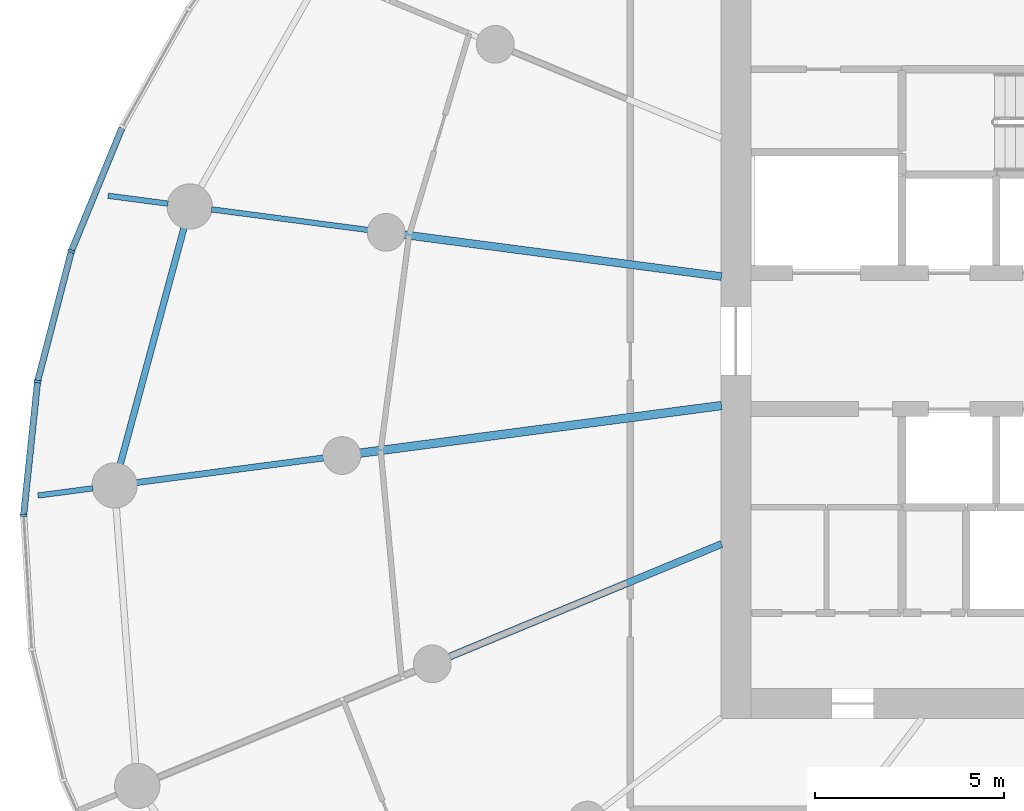
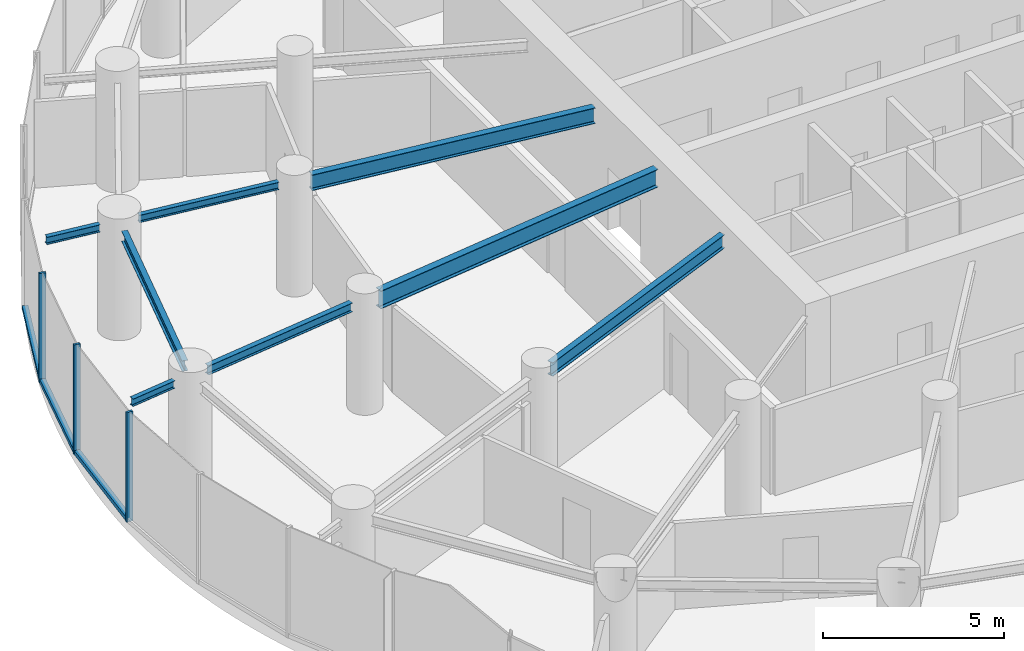
# One storey, part 3 of 17: 8 beams, 6 members, 1 element without a shape of its own.
"""IFC4 building model written with IfcOpenShell, lengths in metres."""

import ifcopenshell
import ifcopenshell.guid

model = None  # the IFC model being written
_history = None  # IfcOwnerHistory: only IFC2X3 demands one
_inside = {}  # id of a spatial element -> (the spatial element, [elements in it])
_under = {}  # id of a project, library or spatial element -> (it, [spatial elements below it])
_declared = {}  # id of a project -> (the project, [libraries it declares])
_typed = {}  # id of a type object -> (the type object, [elements of that type])
_made_of = {}  # id of a material, layer set ... -> (it, [elements and type objects made of it])


def new_model(schema):
    """Start an empty IFC model of exactly this schema.

    Asked for "IFC4X3", IfcOpenShell would pick the latest addendum, in which some entities
    have other attributes; the version numbers below select the first issue.
    IFC2X3 requires an IfcOwnerHistory on every rooted entity: one is made here for all.
    """
    global model, _history
    if schema == "IFC4X3":
        model = ifcopenshell.file(schema_version=(4, 3, 0, 0))
    else:
        model = ifcopenshell.file(schema=schema)
    _inside.clear()
    _under.clear()
    _declared.clear()
    _typed.clear()
    _made_of.clear()
    _history = None
    if model.schema == "IFC2X3":
        org = make("IfcOrganization", Name="unknown")
        user = make(
            "IfcPersonAndOrganization",
            ThePerson=make("IfcPerson", FamilyName="unknown"),
            TheOrganization=org,
        )
        app = make(
            "IfcApplication",
            ApplicationDeveloper=org,
            Version="unknown",
            ApplicationFullName="unknown",
            ApplicationIdentifier="unknown",
        )
        _history = make(
            "IfcOwnerHistory",
            OwningUser=user,
            OwningApplication=app,
            ChangeAction="ADDED",
            CreationDate=0,
        )
    return model


def make(cls, **values):
    """One entity of the class cls with the attributes given. An attribute that is None is left unset."""
    return model.create_entity(
        cls, **{name: value for name, value in values.items() if value is not None}
    )


def rooted(cls, **values):
    """An entity with a GlobalId (a new one), such as an element, a storey or a relation."""
    return make(cls, GlobalId=ifcopenshell.guid.new(), OwnerHistory=_history, **values)


def si_unit(unit_type, name, prefix=None):
    """IfcSIUnit, for example si_unit("LENGTHUNIT", "METRE", prefix="MILLI")."""
    return make("IfcSIUnit", UnitType=unit_type, Prefix=prefix, Name=name)


def assignment(units):
    """IfcUnitAssignment: the units of a project."""
    return None if units is None else make("IfcUnitAssignment", Units=units)


def point(xyz):
    """IfcCartesianPoint."""
    return None if xyz is None else make("IfcCartesianPoint", Coordinates=xyz)


def direction(xyz):
    """IfcDirection."""
    return None if xyz is None else make("IfcDirection", DirectionRatios=xyz)


def frame(location, z_axis=None, x_axis=None):
    """IfcAxis2Placement3D, a coordinate frame: its origin and axes. An axis left out is left unset."""
    return make(
        "IfcAxis2Placement3D",
        Location=point(location),
        Axis=direction(z_axis),
        RefDirection=direction(x_axis),
    )


def frame_2d(location, x_axis=None):
    """IfcAxis2Placement2D, a coordinate frame in the plane: its origin and x axis."""
    return make(
        "IfcAxis2Placement2D", Location=point(location), RefDirection=direction(x_axis)
    )


def origin():
    """The frame at (0, 0, 0) with its axes left unset."""
    return frame((0.0, 0.0, 0.0))


def origin_2d():
    """The frame at (0, 0) in the plane with its x axis left unset."""
    return frame_2d((0.0, 0.0))


def place(relative_to, where):
    """IfcLocalPlacement: puts the frame where relative to a parent placement (None: the world)."""
    return make(
        "IfcLocalPlacement", PlacementRelTo=relative_to, RelativePlacement=where
    )


def context(
    kind, dimensions, precision=None, world=None, true_north=None, identifier=None
):
    """IfcGeometricRepresentationContext, for example the 3D "Model" context."""
    return make(
        "IfcGeometricRepresentationContext",
        ContextIdentifier=identifier,
        ContextType=kind,
        CoordinateSpaceDimension=dimensions,
        Precision=precision,
        WorldCoordinateSystem=world,
        TrueNorth=true_north,
    )


def subcontext(parent, identifier, kind, view, scale=None):
    """IfcGeometricRepresentationSubContext, for example "Body" below "Model"."""
    return make(
        "IfcGeometricRepresentationSubContext",
        ContextIdentifier=identifier,
        ContextType=kind,
        ParentContext=parent,
        TargetScale=scale,
        TargetView=view,
    )


def project(units=None, contexts=None):
    """IfcProject with its units and contexts."""
    return rooted(
        "IfcProject",
        Name="project",
        RepresentationContexts=contexts,
        UnitsInContext=assignment(units),
    )


def spatial(cls, under=None, at=None, **own):
    """A site, building, storey or space (cls), placed at a placement, below another one or the project."""
    s = rooted(cls, ObjectPlacement=at, **own)
    if under is not None:
        _under.setdefault(under.id(), (under, []))[1].append(s)
    return s


def profile(cls, at=None, kind="AREA", **sizes):
    """A parametric profile (cls). Its sizes go by their IFC names, for example OverallWidth=200.0."""
    return make(cls, ProfileType=kind, Position=at, **sizes)


def rectangle(**sizes):
    """IfcRectangleProfileDef."""
    return profile("IfcRectangleProfileDef", **sizes)


def i_section(**sizes):
    """IfcIShapeProfileDef."""
    return profile("IfcIShapeProfileDef", **sizes)


def extrude(swept, where, along, depth):
    """IfcExtrudedAreaSolid: the profile swept, set in the frame where, extruded along a direction by depth."""
    return make(
        "IfcExtrudedAreaSolid",
        SweptArea=swept,
        Position=where,
        ExtrudedDirection=direction(along),
        Depth=depth,
    )


def shape(context_of_items, identifier, shape_type, items):
    """IfcShapeRepresentation: the items that make up one representation, for example the "Body"."""
    return make(
        "IfcShapeRepresentation",
        ContextOfItems=context_of_items,
        RepresentationIdentifier=identifier,
        RepresentationType=shape_type,
        Items=items,
    )


def source(mapping_origin, context_of_items, identifier, shape_type, items):
    """IfcRepresentationMap: a shape defined once, which mapped items show again and again."""
    return make(
        "IfcRepresentationMap",
        MappingOrigin=mapping_origin,
        MappedRepresentation=shape(context_of_items, identifier, shape_type, items),
    )


def transform(
    local_origin,
    x_axis=None,
    y_axis=None,
    z_axis=None,
    scale=None,
    scale2=None,
    scale3=None,
    uniform=True,
):
    """IfcCartesianTransformationOperator3D, or its non-uniform kind. x_axis, y_axis, z_axis: its Axis1, 2, 3."""
    if uniform:
        return make(
            "IfcCartesianTransformationOperator3D",
            Axis1=direction(x_axis),
            Axis2=direction(y_axis),
            LocalOrigin=point(local_origin),
            Scale=scale,
            Axis3=direction(z_axis),
        )
    return make(
        "IfcCartesianTransformationOperator3DnonUniform",
        Axis1=direction(x_axis),
        Axis2=direction(y_axis),
        LocalOrigin=point(local_origin),
        Scale=scale,
        Axis3=direction(z_axis),
        Scale2=scale2,
        Scale3=scale3,
    )


def mapped(mapping_source, mapping_target):
    """IfcMappedItem: shows the shape of a source again, moved by a transform."""
    return make(
        "IfcMappedItem", MappingSource=mapping_source, MappingTarget=mapping_target
    )


def material(Name=None, Category=None):
    """IfcMaterial."""
    return make("IfcMaterial", Name=Name, Category=Category)


def layer(
    of_material, thickness, ventilated=None, Name=None, Category=None, Priority=None
):
    """IfcMaterialLayer: one layer of a wall or slab, of a material (None: an air gap)."""
    return make(
        "IfcMaterialLayer",
        Material=of_material,
        LayerThickness=thickness,
        IsVentilated=ventilated,
        Name=Name,
        Category=Category,
        Priority=Priority,
    )


def layer_set(layers, Name=None):
    """IfcMaterialLayerSet."""
    return make("IfcMaterialLayerSet", MaterialLayers=layers, LayerSetName=Name)


def material_profile(
    of_material, cross_section, Name=None, Category=None, Priority=None
):
    """IfcMaterialProfile: a cross section and its material."""
    return make(
        "IfcMaterialProfile",
        Name=Name,
        Material=of_material,
        Profile=cross_section,
        Priority=Priority,
        Category=Category,
    )


def profile_set(profiles, Name=None, composite=None):
    """IfcMaterialProfileSet."""
    return make(
        "IfcMaterialProfileSet",
        Name=Name,
        MaterialProfiles=profiles,
        CompositeProfile=composite,
    )


def made_of(thing, what):
    """Note that an element or type object is made of a material, layer set ...; save() writes the relation."""
    if what is not None:
        _made_of.setdefault(what.id(), (what, []))[1].append(thing)
    return thing


def type_object(cls, material=None, **own):
    """A type object (cls), such as IfcWallType, which elements share."""
    return made_of(rooted(cls, **own), material)


def element(
    cls,
    number,
    at=None,
    inside=None,
    cuts=None,
    type_object=None,
    material=None,
    context=None,
    identifier="Body",
    shape_type=None,
    held_by="IfcProductDefinitionShape",
    body=None,
    shapes=None,
    **own,
):
    """One element of the class cls, such as IfcWall. Its Tag is "e" and its number.

    at: its placement. inside: the storey or other place that contains it. cuts: it is an
    opening in that element (IfcRelVoidsElement). A single representation is given by context,
    identifier, shape_type and body (its items); several are given by shapes. held_by: the class
    of the entity that holds the representations. save() writes the other relations.
    """
    e = rooted(cls, Tag="e%d" % number, ObjectPlacement=at, **own)
    if body is not None:
        shapes = [shape(context, identifier, shape_type, body)]
    if shapes is not None:
        e.Representation = make(held_by, Representations=shapes)
    if inside is not None:
        _inside.setdefault(inside.id(), (inside, []))[1].append(e)
    if cuts is not None:
        rooted(
            "IfcRelVoidsElement", RelatingBuildingElement=cuts, RelatedOpeningElement=e
        )
    if type_object is not None:
        _typed.setdefault(type_object.id(), (type_object, []))[1].append(e)
    return made_of(e, material)


def aggregate(whole, parts):
    """IfcRelAggregates: a whole, such as a stair, and the parts it consists of."""
    return rooted("IfcRelAggregates", RelatingObject=whole, RelatedObjects=parts)


def save(model, path):
    """Write the relations noted so far, then the file.

    IfcRelAggregates (storeys below a building ...), IfcRelContainedInSpatialStructure (elements
    in a storey), IfcRelDefinesByType, IfcRelAssociatesMaterial and IfcRelDeclares: one each for
    every whole, place, type object, material and project.
    """
    for whole, parts in _under.values():
        aggregate(whole, parts)
    for where, things in _inside.values():
        rooted(
            "IfcRelContainedInSpatialStructure",
            RelatedElements=things,
            RelatingStructure=where,
        )
    for kind, things in _typed.values():
        rooted("IfcRelDefinesByType", RelatedObjects=things, RelatingType=kind)
    for what, things in _made_of.values():
        rooted("IfcRelAssociatesMaterial", RelatedObjects=things, RelatingMaterial=what)
    for by, libraries in _declared.values():
        rooted("IfcRelDeclares", RelatingContext=by, RelatedDefinitions=libraries)
    model.write(path)


model = new_model("IFC4")

# Units and contexts
model_context = context("Model", 3, precision=1e-05, world=origin(), true_north=direction((0.0, 1.0)))
body_context = subcontext(model_context, "Body", "Model", "MODEL_VIEW")
ifc_project = project(units=[si_unit("LENGTHUNIT", "METRE"), si_unit("AREAUNIT", "SQUARE_METRE"), si_unit("VOLUMEUNIT", "CUBIC_METRE"), si_unit("PLANEANGLEUNIT", "RADIAN"), si_unit("MASSUNIT", "GRAM", prefix="KILO")], contexts=[model_context])

# Site, building, storey
site_placement = place(None, origin())
site = spatial("IfcSite", under=ifc_project, at=site_placement, CompositionType="ELEMENT")
building_placement = place(site_placement, origin())
building = spatial("IfcBuilding", under=site, at=building_placement, Name="Spindrift Exchange Tower", CompositionType="ELEMENT")
storey_placement = place(building_placement, frame((0.0, 0.0, 92.10009765625)))
storey = spatial("IfcBuildingStorey", under=building, at=storey_placement, Name="L21", CompositionType="ELEMENT", Elevation=92.10009765625)

# Beams
ifc_material_1 = material(Name="Steel Grade 300", Category="steel")
ifc_material_profile_1 = material_profile(ifc_material_1, i_section(OverallWidth=0.22802734375, OverallDepth=0.60693359375, WebThickness=0.01123046875, FlangeThickness=0.017333984375, FilletRadius=0.013916015625, at=origin_2d()), Name="610UB113")
ifc_profile_set_1 = profile_set([ifc_material_profile_1], Name="Steel Grade 300")
beam_type_1 = type_object("IfcBeamType", Name="Floor Beam 610UB113 Steel Grade 300", PredefinedType="BEAM", material=ifc_profile_set_1)
shared_shape_1 = source(origin(), body_context, "Body", "SweptSolid", [
    extrude(i_section(OverallWidth=0.22802734375, OverallDepth=0.60693359375, WebThickness=0.01123046875, FlangeThickness=0.017333984375, FilletRadius=0.013916015625, at=origin_2d()), origin(), (0.0, 0.0, 1.0), 9.660400390625),
])
beam_1_placement = place(storey_placement, frame((39.019775390625, 46.291015625, 3.396484375), z_axis=(-0.99144767089, -0.130504850054, 0.0), x_axis=(0.130504850054, -0.99144767089, 0.0)))
element("IfcBeam", 1, at=beam_1_placement, inside=storey, type_object=beam_type_1, Name="L21 radial beam R13A", PredefinedType="BEAM", context=body_context, shape_type="MappedRepresentation", body=[
    mapped(shared_shape_1, transform((0.0, 0.0, 0.0), scale=1.0)),
])
ifc_material_profile_2 = material_profile(ifc_material_1, i_section(OverallWidth=0.18994140625, OverallDepth=0.45703125, WebThickness=0.009033203125, FlangeThickness=0.014404296875, FilletRadius=0.013916015625, at=origin_2d()), Name="460UB74.6")
ifc_profile_set_2 = profile_set([ifc_material_profile_2], Name="Steel Grade 300")
beam_type_2 = type_object("IfcBeamType", Name="Floor Beam 460UB74.6 Steel Grade 300", PredefinedType="BEAM", material=ifc_profile_set_2)
shared_shape_2 = source(origin(), body_context, "Body", "SweptSolid", [
    extrude(i_section(OverallWidth=0.18994140625, OverallDepth=0.45703125, WebThickness=0.009033203125, FlangeThickness=0.014404296875, FilletRadius=0.013916015625, at=origin_2d()), origin(), (0.0, 0.0, 1.0), 7.808837890625),
])
beam_2_placement = place(storey_placement, frame((39.0185546875, 42.622802734375, 3.471435546875), z_axis=(-0.92387965154, -0.382683145003, 0.0), x_axis=(0.382683145003, -0.92387965154, 0.0)))
element("IfcBeam", 2, at=beam_2_placement, inside=storey, type_object=beam_type_2, Name="L21 radial beam R14A", PredefinedType="BEAM", context=body_context, shape_type="MappedRepresentation", body=[
    mapped(shared_shape_2, transform((0.0, 0.0, 0.0), scale=1.0)),
])
ifc_material_profile_3 = material_profile(ifc_material_1, i_section(OverallWidth=0.208984375, OverallDepth=0.532958984375, WebThickness=0.01025390625, FlangeThickness=0.015625, FilletRadius=0.013916015625, at=origin_2d()), Name="530UB92.4")
ifc_profile_set_3 = profile_set([ifc_material_profile_3], Name="Steel Grade 300")
beam_type_3 = type_object("IfcBeamType", Name="Floor Beam 530UB92.4 Steel Grade 300", PredefinedType="BEAM", material=ifc_profile_set_3)
shared_shape_3 = source(origin(), body_context, "Body", "SweptSolid", [
    extrude(i_section(OverallWidth=0.208984375, OverallDepth=0.532958984375, WebThickness=0.01025390625, FlangeThickness=0.015625, FilletRadius=0.013916015625, at=origin_2d()), origin(), (0.0, 0.0, 1.0), 8.4794921875),
])
beam_3_placement = place(storey_placement, frame((39.019775390625, 49.708984375, 3.433349609375), z_axis=(-0.991446551951, 0.13051335037, 0.0), x_axis=(-0.13051335037, -0.991446551951, 0.0)))
element("IfcBeam", 3, at=beam_3_placement, inside=storey, type_object=beam_type_3, Name="L21 radial beam R12A", PredefinedType="BEAM", context=body_context, shape_type="MappedRepresentation", body=[
    mapped(shared_shape_3, transform((0.0, 0.0, 0.0), scale=1.0)),
])
ifc_material_profile_4 = material_profile(ifc_material_1, i_section(OverallWidth=0.1650390625, OverallDepth=0.303955078125, WebThickness=0.006103515625, FlangeThickness=0.01025390625, FilletRadius=0.011474609375, at=origin_2d()), Name="310UB40.4")
ifc_profile_set_4 = profile_set([ifc_material_profile_4], Name="Steel Grade 300")
beam_type_4 = type_object("IfcBeamType", Name="Floor Beam 310UB40.4 Steel Grade 300", PredefinedType="BEAM", material=ifc_profile_set_4)
shared_shape_4 = source(origin(), body_context, "Body", "SweptSolid", [
    extrude(i_section(OverallWidth=0.1650390625, OverallDepth=0.303955078125, WebThickness=0.006103515625, FlangeThickness=0.01025390625, FilletRadius=0.011474609375, at=origin_2d()), origin(), (0.0, 0.0, 1.0), 5.014404296875),
])
beam_4_placement = place(storey_placement, frame((28.490234375, 44.90478515625, 3.5478515625), z_axis=(-0.99145015202, -0.13048599948, 0.0), x_axis=(0.13048599948, -0.99145015202, 0.0)))
element("IfcBeam", 4, at=beam_4_placement, inside=storey, type_object=beam_type_4, Name="L21 radial beam R13B", PredefinedType="BEAM", context=body_context, shape_type="MappedRepresentation", body=[
    mapped(shared_shape_4, transform((0.0, 0.0, 0.0), scale=1.0)),
])
ifc_material_profile_5 = material_profile(ifc_material_1, i_section(OverallWidth=0.14599609375, OverallDepth=0.251953125, WebThickness=0.006103515625, FlangeThickness=0.008544921875, FilletRadius=0.011962890625, at=origin_2d()), Name="250UB31.4")
ifc_profile_set_5 = profile_set([ifc_material_profile_5], Name="Steel Grade 300")
beam_type_5 = type_object("IfcBeamType", Name="Floor Beam 250UB31.4 Steel Grade 300", PredefinedType="BEAM", material=ifc_profile_set_5)
shared_shape_5 = source(origin(), body_context, "Body", "SweptSolid", [
    extrude(i_section(OverallWidth=0.14599609375, OverallDepth=0.251953125, WebThickness=0.006103515625, FlangeThickness=0.008544921875, FilletRadius=0.011962890625, at=origin_2d()), origin(), (0.0, 0.0, 1.0), 4.186279296875),
])
beam_5_placement = place(storey_placement, frame((29.660888671875, 50.94091796875, 3.573974609375), z_axis=(-0.991445559167, 0.130520891848, 0.0), x_axis=(-0.130520891848, -0.991445559167, 0.0)))
element("IfcBeam", 5, at=beam_5_placement, inside=storey, type_object=beam_type_5, Name="L21 radial beam R12B", PredefinedType="BEAM", context=body_context, shape_type="MappedRepresentation", body=[
    mapped(shared_shape_5, transform((0.0, 0.0, 0.0), scale=1.0)),
])
ifc_material_profile_6 = material_profile(ifc_material_1, i_section(OverallWidth=0.172119140625, OverallDepth=0.35888671875, WebThickness=0.008056640625, FlangeThickness=0.012939453125, FilletRadius=0.013916015625, at=origin_2d()), Name="360UB56.7")
ifc_profile_set_6 = profile_set([ifc_material_profile_6], Name="Steel Grade 300")
beam_type_6 = type_object("IfcBeamType", Name="Edge Beam 360UB56.7 Steel Grade 300", PredefinedType="SPANDREL", material=ifc_profile_set_6)
shared_shape_6 = source(origin(), body_context, "Body", "SweptSolid", [
    extrude(i_section(OverallWidth=0.172119140625, OverallDepth=0.35888671875, WebThickness=0.008056640625, FlangeThickness=0.012939453125, FilletRadius=0.013916015625, at=origin_2d()), origin(), (0.0, 0.0, 1.0), 6.4921875),
])
beam_6_placement = place(storey_placement, frame((24.784423828125, 51.003173828125, 3.5205078125), z_axis=(-0.260262058381, -0.965538016324, 0.0), x_axis=(0.965538016324, -0.260262058381, 0.0)))
element("IfcBeam", 6, at=beam_6_placement, inside=storey, type_object=beam_type_6, Name="L21 edge beam E12", PredefinedType="SPANDREL", context=body_context, shape_type="MappedRepresentation", body=[
    mapped(shared_shape_6, transform((0.0, 0.0, 0.0), scale=1.0)),
])
ifc_material_profile_7 = material_profile(ifc_material_1, i_section(OverallWidth=0.14599609375, OverallDepth=0.251953125, WebThickness=0.006103515625, FlangeThickness=0.008544921875, FilletRadius=0.011962890625, at=origin_2d()), Name="250UB31.4")
ifc_profile_set_7 = profile_set([ifc_material_profile_7], Name="Steel Grade 300")
beam_type_7 = type_object("IfcBeamType", Name="Cantilever Beam 250UB31.4 Steel Grade 300", PredefinedType="BEAM", material=ifc_profile_set_7)
shared_shape_7 = source(origin(), body_context, "Body", "SweptSolid", [
    extrude(i_section(OverallWidth=0.14599609375, OverallDepth=0.251953125, WebThickness=0.006103515625, FlangeThickness=0.008544921875, FilletRadius=0.011962890625, at=origin_2d()), origin(), (0.0, 0.0, 1.0), 1.46630859375),
])
beam_7_placement = place(storey_placement, frame((22.36865234375, 44.09912109375, 3.573974609375), z_axis=(-0.991444659345, -0.130527726772, 0.0), x_axis=(0.130527726772, -0.991444659345, 0.0)))
element("IfcBeam", 7, at=beam_7_placement, inside=storey, type_object=beam_type_7, Name="L21 cantilever beam R13T", PredefinedType="BEAM", context=body_context, shape_type="MappedRepresentation", body=[
    mapped(shared_shape_7, transform((0.0, 0.0, 0.0), scale=1.0)),
])
shared_shape_8 = source(origin(), body_context, "Body", "SweptSolid", [
    extrude(i_section(OverallWidth=0.14599609375, OverallDepth=0.251953125, WebThickness=0.006103515625, FlangeThickness=0.008544921875, FilletRadius=0.011962890625, at=origin_2d()), origin(), (0.0, 0.0, 1.0), 1.603271484375),
])
beam_8_placement = place(storey_placement, frame((24.360595703125, 51.638916015625, 3.573974609375), z_axis=(-0.991448593434, 0.13049784128, 0.0), x_axis=(-0.13049784128, -0.991448593434, 0.0)))
element("IfcBeam", 8, at=beam_8_placement, inside=storey, type_object=beam_type_7, Name="L21 cantilever beam R12T", PredefinedType="BEAM", context=body_context, shape_type="MappedRepresentation", body=[
    mapped(shared_shape_8, transform((0.0, 0.0, 0.0), scale=1.0)),
])

# Curtain wall, members
ifc_material_2 = material(Name="Fritted laminated glass with bronze frame", Category="glass")
ifc_layer = layer(ifc_material_2, 0.18994140625)
ifc_layer_set = layer_set([ifc_layer], Name="ZONE 2 BRONZE FRITTED WALL")
curtain_wall_type = type_object("IfcCurtainWallType", Name="ZONE 2 BRONZE FRITTED WALL", PredefinedType="NOTDEFINED", material=ifc_layer_set)
curtain_wall_placement = place(storey_placement, origin())
curtain_wall = element("IfcCurtainWall", 9, at=curtain_wall_placement, inside=storey, type_object=curtain_wall_type, Name="L21 Zone 2 Bronze Fritted Wall run 4", PredefinedType="NOTDEFINED")
ifc_material_3 = material(Name="Bronze anodised aluminium", Category="aluminium")
ifc_material_profile_8 = material_profile(ifc_material_3, rectangle(XDim=0.074951171875, YDim=0.18994140625, at=origin_2d()), Name="ZONE 2 BRONZE FRITTED WALL MULLION 75X190")
ifc_profile_set_8 = profile_set([ifc_material_profile_8], Name="Bronze anodised aluminium")
member_type_1 = type_object("IfcMemberType", Name="ZONE 2 BRONZE FRITTED WALL MULLION 75X190", PredefinedType="MULLION", material=ifc_profile_set_8)
shared_shape_9 = source(origin(), body_context, "Body", "SweptSolid", [
    extrude(rectangle(XDim=0.074951171875, YDim=0.18994140625, at=origin_2d()), origin(), (0.0, 0.0, 1.0), 3.699951171875),
])
member_1_placement = place(storey_placement, frame((21.800048828125, 50.381103515625, 0.0), z_axis=(0.0, 0.0, 1.0), x_axis=(-0.316164432893, -0.948704406743, 0.0)))
member_1 = element("IfcMember", 10, at=member_1_placement, type_object=member_type_1, Name="L21 mullion CW-2.22", PredefinedType="MULLION", context=body_context, shape_type="MappedRepresentation", body=[
    mapped(shared_shape_9, transform((0.0, 0.0, 0.0), scale=1.0)),
])
member_2_placement = place(storey_placement, frame((20.90478515625, 46.9306640625, 0.0), z_axis=(0.0, 0.0, 1.0), x_axis=(-0.177941894516, -0.984040996187, 0.0)))
member_2 = element("IfcMember", 11, at=member_2_placement, type_object=member_type_1, Name="L21 mullion CW-2.23", PredefinedType="MULLION", context=body_context, shape_type="MappedRepresentation", body=[
    mapped(shared_shape_9, transform((0.0, 0.0, 0.0), scale=1.0)),
])
member_3_placement = place(storey_placement, frame((20.53515625, 43.3857421875, 0.0), z_axis=(0.0, 0.0, 1.0), x_axis=(-0.021785024994, -0.999762678182, 0.0)))
member_3 = element("IfcMember", 12, at=member_3_placement, type_object=member_type_1, Name="L21 mullion CW-2.24", PredefinedType="MULLION", context=body_context, shape_type="MappedRepresentation", body=[
    mapped(shared_shape_9, transform((0.0, 0.0, 0.0), scale=1.0)),
])
ifc_material_profile_9 = material_profile(ifc_material_3, rectangle(XDim=0.169921875, YDim=0.139892578125, at=origin_2d()), Name="ZONE 2 BRONZE FRITTED WALL TRANSOM 170X140")
ifc_profile_set_9 = profile_set([ifc_material_profile_9], Name="Bronze anodised aluminium")
member_type_2 = type_object("IfcMemberType", Name="ZONE 2 BRONZE FRITTED WALL TRANSOM 170X140", PredefinedType="USERDEFINED", material=ifc_profile_set_9)
shared_shape_10 = source(origin(), body_context, "Body", "SweptSolid", [
    extrude(rectangle(XDim=0.169921875, YDim=0.139892578125, at=origin_2d()), origin(), (0.0, 0.0, 1.0), 3.489013671875),
])
member_4_placement = place(storey_placement, frame((20.90087890625, 46.893310546875, 0.06982421875), z_axis=(-0.103701265064, -0.99460848962, 0.0), x_axis=(0.99460848962, -0.103701265064, 0.0)))
member_4 = element("IfcMember", 13, at=member_4_placement, type_object=member_type_2, Name="L21 transom CW-2.23", ObjectType="TRANSOM", PredefinedType="USERDEFINED", context=body_context, shape_type="MappedRepresentation", body=[
    mapped(shared_shape_10, transform((0.0, 0.0, 0.0), scale=1.0)),
])
shared_shape_11 = source(origin(), body_context, "Body", "SweptSolid", [
    extrude(rectangle(XDim=0.169921875, YDim=0.139892578125, at=origin_2d()), origin(), (0.0, 0.0, 1.0), 3.490234375),
])
member_5_placement = place(storey_placement, frame((23.1396484375, 53.64453125, 0.06982421875), z_axis=(-0.379697593558, -0.92511066227, 0.0), x_axis=(0.92511066227, -0.379697593558, 0.0)))
member_5 = element("IfcMember", 14, at=member_5_placement, type_object=member_type_2, Name="L21 transom CW-2.21", ObjectType="TRANSOM", PredefinedType="USERDEFINED", context=body_context, shape_type="MappedRepresentation", body=[
    mapped(shared_shape_11, transform((0.0, 0.0, 0.0), scale=1.0)),
])
shared_shape_12 = source(origin(), body_context, "Body", "SweptSolid", [
    extrude(rectangle(XDim=0.169921875, YDim=0.139892578125, at=origin_2d()), origin(), (0.0, 0.0, 1.0), 3.48974609375),
])
member_6_placement = place(storey_placement, frame((21.790771484375, 50.3447265625, 0.06982421875), z_axis=(-0.251151527891, -0.967947782702, 0.0), x_axis=(0.967947782702, -0.251151527891, 0.0)))
member_6 = element("IfcMember", 15, at=member_6_placement, type_object=member_type_2, Name="L21 transom CW-2.22", ObjectType="TRANSOM", PredefinedType="USERDEFINED", context=body_context, shape_type="MappedRepresentation", body=[
    mapped(shared_shape_12, transform((0.0, 0.0, 0.0), scale=1.0)),
])
aggregate(curtain_wall, [member_5, member_1, member_6, member_2, member_4, member_3])

save(model, "model.ifc")
